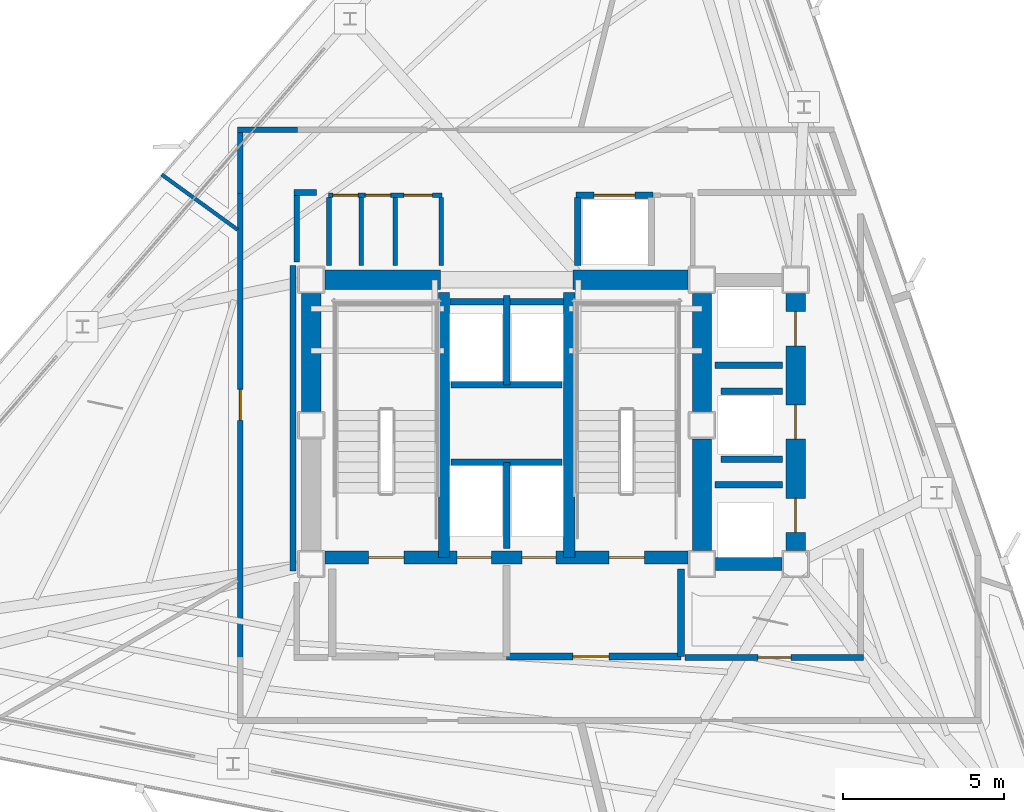
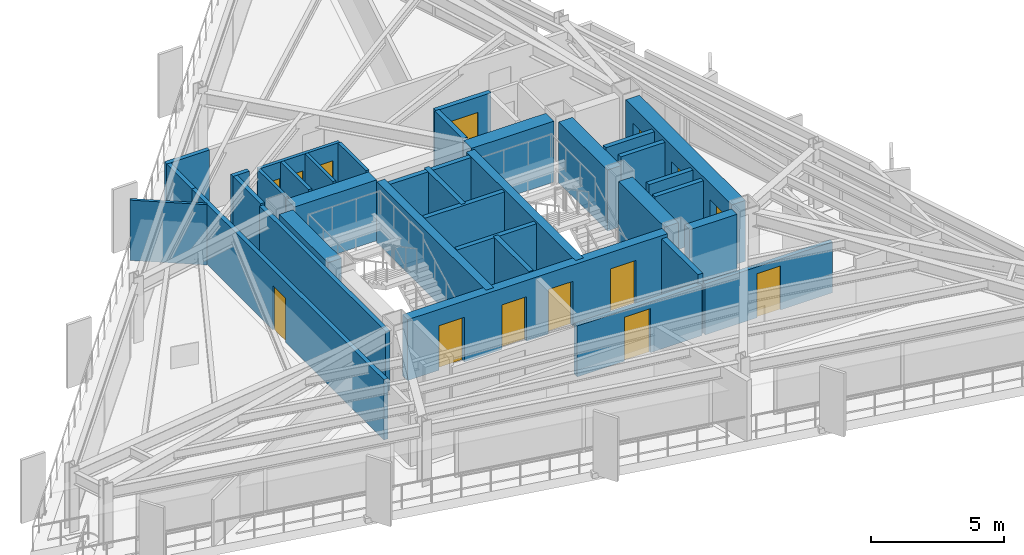
# One storey, part 9 of 13: 36 walls, 14 doors, 14 openings.
"""IFC4 building model written with IfcOpenShell, lengths in metres."""

from ifc_helpers import new_model, si_unit, direction, frame, frame_2d, origin, place, context, subcontext, project, spatial, rectangle, extrude, material, layer, layer_set, type_object, element, fill, save


model = new_model("IFC4")

# Units and contexts
model_context = context("Model", 3, precision=1e-05, world=origin(), true_north=direction((0.0, 1.0)))
body_context = subcontext(model_context, "Body", "Model", "MODEL_VIEW")
ifc_project = project(units=[si_unit("LENGTHUNIT", "METRE"), si_unit("AREAUNIT", "SQUARE_METRE"), si_unit("VOLUMEUNIT", "CUBIC_METRE"), si_unit("PLANEANGLEUNIT", "RADIAN"), si_unit("MASSUNIT", "GRAM", prefix="KILO")], contexts=[model_context])

# Site, building, storey
site_placement = place(None, origin())
site = spatial("IfcSite", under=ifc_project, at=site_placement, CompositionType="ELEMENT")
building_placement = place(site_placement, origin())
building = spatial("IfcBuilding", under=site, at=building_placement, Name="Rocaltana Carrier Exchange", CompositionType="ELEMENT")
storey_placement = place(building_placement, frame((0.0, 0.0, 147.199951171875)))
storey = spatial("IfcBuildingStorey", under=building, at=storey_placement, Name="L46", CompositionType="ELEMENT", Elevation=147.199951171875)

# Walls
ifc_material_1 = material(Name="Concrete C50/60", Category="concrete")
ifc_layer_1 = layer(ifc_material_1, 0.35009765625)
ifc_layer_set_1 = layer_set([ifc_layer_1], Name="Concrete C50/60")
wall_type_1 = type_object("IfcWallType", Name="Core Internal Shear Wall 350", PredefinedType="SHEAR", material=ifc_layer_set_1)
for number, where, z_axis, x_axis, name in (
    (1, (-1.93994140625, -4.10009765625, 0.0), (0.0, 0.0, 1.0), (0.0, 1.0, 0.0), "L46 Core Shear Wall CW-STW"),
    (2, (1.93994140625, -4.10009765625, 0.0), (0.0, 0.0, 1.0), (0.0, 1.0, 0.0), "L46 Core Shear Wall CW-STE"),
):
    element("IfcWall", number, at=place(storey_placement, frame(where, z_axis=z_axis, x_axis=x_axis)), inside=storey, type_object=wall_type_1, Name=name, PredefinedType="SHEAR", context=body_context, shape_type="SweptSolid", body=[
        extrude(rectangle(XDim=8.2001953125, YDim=0.35009765625, at=frame_2d((4.10009765625, 0.0))), origin(), (0.0, 0.0, 1.0), 2.7880859375),
    ])

# Wall, openings, doors
ifc_material_2 = material(Name="Concrete C50/60", Category="concrete")
ifc_layer_2 = layer(ifc_material_2, 0.39990234375)
ifc_layer_set_2 = layer_set([ifc_layer_2], Name="Concrete C50/60")
wall_type_2 = type_object("IfcWallType", Name="Core Internal Shear Wall 400", PredefinedType="SHEAR", material=ifc_layer_set_2)
wall_1_placement = place(storey_placement, frame((-5.625, -4.10009765625, 0.0), z_axis=(0.0, 0.0, 1.0), x_axis=(1.0, 0.0, 0.0)))
wall_1 = element("IfcWall", 3, at=wall_1_placement, inside=storey, type_object=wall_type_2, Name="L46 Core Shear Wall CW-S", PredefinedType="SHEAR", context=body_context, shape_type="SweptSolid", body=[
    extrude(rectangle(XDim=11.25, YDim=0.39990234375, at=frame_2d((5.625, 0.0))), origin(), (0.0, 0.0, 1.0), 2.7880859375),
])
opening_1_placement = place(wall_1_placement, frame((1.35498046875, 0.0, 0.0)))
opening_1 = element("IfcOpeningElement", 4, at=opening_1_placement, cuts=wall_1, Name="Opening D-ST110", PredefinedType="OPENING", context=body_context, shape_type="SweptSolid", body=[
    extrude(rectangle(XDim=1.10009765625, YDim=2.0400390625, at=frame_2d((0.550048828125, 1.02001953125))), frame((0.0, 0.2099609375, 0.0), z_axis=(0.0, -1.0, 0.0), x_axis=(1.0, 0.0, 0.0)), (0.0, 0.0, 1.0), 0.419921875),
])
opening_2_placement = place(wall_1_placement, frame((8.794921875, 0.0, 0.0)))
opening_2 = element("IfcOpeningElement", 5, at=opening_2_placement, cuts=wall_1, Name="Opening D-ST110", PredefinedType="OPENING", context=body_context, shape_type="SweptSolid", body=[
    extrude(rectangle(XDim=1.10009765625, YDim=2.0400390625, at=frame_2d((0.550048828125, 1.02001953125))), frame((0.0, 0.2099609375, 0.0), z_axis=(0.0, -1.0, 0.0), x_axis=(1.0, 0.0, 0.0)), (0.0, 0.0, 1.0), 0.419921875),
])
opening_3_placement = place(wall_1_placement, frame((4.094970703125, 0.0, 0.0)))
opening_3 = element("IfcOpeningElement", 6, at=opening_3_placement, cuts=wall_1, Name="Opening LD-110", PredefinedType="OPENING", context=body_context, shape_type="SweptSolid", body=[
    extrude(rectangle(XDim=1.06005859375, YDim=2.0400390625, at=frame_2d((0.530029296875, 1.02001953125))), frame((0.0, 0.2099609375, 0.0), z_axis=(0.0, -1.0, 0.0), x_axis=(1.0, 0.0, 0.0)), (0.0, 0.0, 1.0), 0.419921875),
])
opening_4_placement = place(wall_1_placement, frame((6.094970703125, 0.0, 0.0)))
opening_4 = element("IfcOpeningElement", 7, at=opening_4_placement, cuts=wall_1, Name="Opening LD-110", PredefinedType="OPENING", context=body_context, shape_type="SweptSolid", body=[
    extrude(rectangle(XDim=1.06005859375, YDim=2.0400390625, at=frame_2d((0.530029296875, 1.02001953125))), frame((0.0, 0.2099609375, 0.0), z_axis=(0.0, -1.0, 0.0), x_axis=(1.0, 0.0, 0.0)), (0.0, 0.0, 1.0), 0.419921875),
])
ifc_material_3 = material(Name="Hollow Metal Fire Door Assembly", Category="steel")
door_type_1 = type_object("IfcDoorType", Name="Exit Stair Fire Door 1100x2040 FD90S", OperationType="NOTDEFINED", PredefinedType="DOOR", material=ifc_material_3)
door_1_placement = place(opening_1_placement, origin())
door_1 = element("IfcDoor", 8, at=door_1_placement, inside=storey, type_object=door_type_1, Name="L46 Exit Stair ST1 Fire Door", OperationType="SINGLE_SWING_RIGHT", OverallHeight=2.0400390625, OverallWidth=1.10009765625, PredefinedType="DOOR", context=body_context, shape_type="SweptSolid", body=[
    extrude(rectangle(XDim=1.10009765625, YDim=2.0400390625, at=frame_2d((0.550048828125, 1.02001953125))), frame((0.0, 0.02490234375, 0.0), z_axis=(0.0, -1.0, 0.0), x_axis=(1.0, 0.0, 0.0)), (0.0, 0.0, 1.0), 0.050048828125),
])
fill(opening_1, door_1)
door_2_placement = place(opening_2_placement, origin())
door_2 = element("IfcDoor", 9, at=door_2_placement, inside=storey, type_object=door_type_1, Name="L46 Exit Stair ST2 Fire Door", OperationType="SINGLE_SWING_LEFT", OverallHeight=2.0400390625, OverallWidth=1.10009765625, PredefinedType="DOOR", context=body_context, shape_type="SweptSolid", body=[
    extrude(rectangle(XDim=1.10009765625, YDim=2.0400390625, at=frame_2d((0.550048828125, 1.02001953125))), frame((0.0, 0.02490234375, 0.0), z_axis=(0.0, -1.0, 0.0), x_axis=(1.0, 0.0, 0.0)), (0.0, 0.0, 1.0), 0.050048828125),
])
fill(opening_2, door_2)
ifc_material_4 = material(Name="Brushed Stainless Sliding Door Leaf", Category="steel")
door_type_2 = type_object("IfcDoorType", Name="Lift Landing Sliding Door 1060x2040", OperationType="NOTDEFINED", PredefinedType="DOOR", material=ifc_material_4)
door_3_placement = place(opening_3_placement, origin())
door_3 = element("IfcDoor", 10, at=door_3_placement, inside=storey, type_object=door_type_2, Name="L46 Firefighting Lift FFL1 Landing Door", OperationType="SLIDING_TO_LEFT", OverallHeight=2.0400390625, OverallWidth=1.06005859375, PredefinedType="DOOR", context=body_context, shape_type="SweptSolid", body=[
    extrude(rectangle(XDim=1.06005859375, YDim=2.0400390625, at=frame_2d((0.530029296875, 1.02001953125))), frame((0.0, 0.02490234375, 0.0), z_axis=(0.0, -1.0, 0.0), x_axis=(1.0, 0.0, 0.0)), (0.0, 0.0, 1.0), 0.050048828125),
])
fill(opening_3, door_3)
door_4_placement = place(opening_4_placement, origin())
door_4 = element("IfcDoor", 11, at=door_4_placement, inside=storey, type_object=door_type_2, Name="L46 Firefighting Lift FFL2 Landing Door", OperationType="SLIDING_TO_RIGHT", OverallHeight=2.0400390625, OverallWidth=1.06005859375, PredefinedType="DOOR", context=body_context, shape_type="SweptSolid", body=[
    extrude(rectangle(XDim=1.06005859375, YDim=2.0400390625, at=frame_2d((0.530029296875, 1.02001953125))), frame((0.0, 0.02490234375, 0.0), z_axis=(0.0, -1.0, 0.0), x_axis=(1.0, 0.0, 0.0)), (0.0, 0.0, 1.0), 0.050048828125),
])
fill(opening_4, door_4)

# Walls
wall_2_placement = place(storey_placement, frame((6.47509765625, -4.300048828125, 0.0), z_axis=(0.0, 0.0, 1.0), x_axis=(1.0, 0.0, 0.0)))
element("IfcWall", 12, at=wall_2_placement, inside=storey, type_object=wall_type_2, Name="L46 Core Shear Wall CW-EWS", PredefinedType="SHEAR", context=body_context, shape_type="SweptSolid", body=[
    extrude(rectangle(XDim=2.0498046875, YDim=0.39990234375, at=frame_2d((1.02490234375, 0.0))), origin(), (0.0, 0.0, 1.0), 2.7880859375),
])
ifc_material_5 = material(Name="Concrete C50/60", Category="concrete")
ifc_layer_3 = layer(ifc_material_5, 0.60009765625)
ifc_layer_set_3 = layer_set([ifc_layer_3], Name="Concrete C50/60")
wall_type_3 = type_object("IfcWallType", Name="Core Shear Wall 600", PredefinedType="SHEAR", material=ifc_layer_set_3)
for number, where, z_axis, x_axis, name in (
    (13, (-6.050048828125, 0.425048828125, 0.0), (0.0, 0.0, 1.0), (0.0, 1.0, 0.0), "L46 Core Shear Wall CW-WN"),
    (14, (6.050048828125, 0.425048828125, 0.0), (0.0, 0.0, 1.0), (0.0, 1.0, 0.0), "L46 Core Shear Wall CW-EN"),
):
    element("IfcWall", number, at=place(storey_placement, frame(where, z_axis=z_axis, x_axis=x_axis)), inside=storey, type_object=wall_type_3, Name=name, PredefinedType="SHEAR", context=body_context, shape_type="SweptSolid", body=[
        extrude(rectangle(XDim=3.64990234375, YDim=0.60009765625, at=frame_2d((1.824951171875, 0.0))), origin(), (0.0, 0.0, 1.0), 2.7880859375),
    ])
wall_3_placement = place(storey_placement, frame((6.050048828125, -3.875, 0.0), z_axis=(0.0, 0.0, 1.0), x_axis=(0.0, 1.0, 0.0)))
element("IfcWall", 15, at=wall_3_placement, inside=storey, type_object=wall_type_3, Name="L46 Core Shear Wall CW-ES", PredefinedType="SHEAR", context=body_context, shape_type="SweptSolid", body=[
    extrude(rectangle(XDim=3.449951171875, YDim=0.60009765625, at=frame_2d((1.72509765625, 0.0))), origin(), (0.0, 0.0, 1.0), 2.7880859375),
])
for number, where, z_axis, x_axis, name in (
    (16, (-5.625, 4.5, 0.0), (0.0, 0.0, 1.0), (1.0, 0.0, 0.0), "L46 Core Shear Wall CW-N1"),
    (17, (2.050048828125, 4.5, 0.0), (0.0, 0.0, 1.0), (1.0, 0.0, 0.0), "L46 Core Shear Wall CW-N2"),
):
    element("IfcWall", number, at=place(storey_placement, frame(where, z_axis=z_axis, x_axis=x_axis)), inside=storey, type_object=wall_type_3, Name=name, PredefinedType="SHEAR", context=body_context, shape_type="SweptSolid", body=[
        extrude(rectangle(XDim=3.574951171875, YDim=0.60009765625, at=frame_2d((1.78759765625, 0.0))), origin(), (0.0, 0.0, 1.0), 2.7880859375),
    ])

# Wall, openings, doors
wall_4_placement = place(storey_placement, frame((8.949951171875, -3.875, 0.0), z_axis=(0.0, 0.0, 1.0), x_axis=(0.0, 1.0, 0.0)))
wall_4 = element("IfcWall", 18, at=wall_4_placement, inside=storey, type_object=wall_type_3, Name="L46 Core Shear Wall CW-EW", PredefinedType="SHEAR", context=body_context, shape_type="SweptSolid", body=[
    extrude(rectangle(XDim=7.949951171875, YDim=0.60009765625, at=frame_2d((3.97509765625, 0.0))), origin(), (0.0, 0.0, 1.0), 2.7880859375),
])
opening_5_placement = place(wall_4_placement, frame((0.550048828125, 0.0, 0.0)))
opening_5 = element("IfcOpeningElement", 19, at=opening_5_placement, cuts=wall_4, Name="Opening LD-110", PredefinedType="OPENING", context=body_context, shape_type="SweptSolid", body=[
    extrude(rectangle(XDim=1.06005859375, YDim=2.0400390625, at=frame_2d((0.530029296875, 1.02001953125))), frame((0.0, 0.31005859375, 0.0), z_axis=(0.0, -1.0, 0.0), x_axis=(1.0, 0.0, 0.0)), (0.0, 0.0, 1.0), 0.6201171875),
])
opening_6_placement = place(wall_4_placement, frame((3.445068359375, 0.0, 0.0)))
opening_6 = element("IfcOpeningElement", 20, at=opening_6_placement, cuts=wall_4, Name="Opening LD-110", PredefinedType="OPENING", context=body_context, shape_type="SweptSolid", body=[
    extrude(rectangle(XDim=1.06005859375, YDim=2.0400390625, at=frame_2d((0.530029296875, 1.02001953125))), frame((0.0, 0.31005859375, 0.0), z_axis=(0.0, -1.0, 0.0), x_axis=(1.0, 0.0, 0.0)), (0.0, 0.0, 1.0), 0.6201171875),
])
opening_7_placement = place(wall_4_placement, frame((6.330078125, 0.0, 0.0)))
opening_7 = element("IfcOpeningElement", 21, at=opening_7_placement, cuts=wall_4, Name="Opening LD-110", PredefinedType="OPENING", context=body_context, shape_type="SweptSolid", body=[
    extrude(rectangle(XDim=1.06005859375, YDim=2.0400390625, at=frame_2d((0.530029296875, 1.02001953125))), frame((0.0, 0.31005859375, 0.0), z_axis=(0.0, -1.0, 0.0), x_axis=(1.0, 0.0, 0.0)), (0.0, 0.0, 1.0), 0.6201171875),
])
door_5_placement = place(opening_5_placement, origin())
door_5 = element("IfcDoor", 22, at=door_5_placement, inside=storey, type_object=door_type_2, Name="L46 Mid-Rise Lift PL-M1 Landing Door", OperationType="SLIDING_TO_LEFT", OverallHeight=2.0400390625, OverallWidth=1.06005859375, PredefinedType="DOOR", context=body_context, shape_type="SweptSolid", body=[
    extrude(rectangle(XDim=1.06005859375, YDim=2.0400390625, at=frame_2d((0.530029296875, 1.02001953125))), frame((0.0, 0.02490234375, 0.0), z_axis=(0.0, -1.0, 0.0), x_axis=(1.0, 0.0, 0.0)), (0.0, 0.0, 1.0), 0.050048828125),
])
fill(opening_5, door_5)
door_6_placement = place(opening_6_placement, origin())
door_6 = element("IfcDoor", 23, at=door_6_placement, inside=storey, type_object=door_type_2, Name="L46 Mid-Rise Lift PL-M2 Landing Door", OperationType="SLIDING_TO_RIGHT", OverallHeight=2.0400390625, OverallWidth=1.06005859375, PredefinedType="DOOR", context=body_context, shape_type="SweptSolid", body=[
    extrude(rectangle(XDim=1.06005859375, YDim=2.0400390625, at=frame_2d((0.530029296875, 1.02001953125))), frame((0.0, 0.02490234375, 0.0), z_axis=(0.0, -1.0, 0.0), x_axis=(1.0, 0.0, 0.0)), (0.0, 0.0, 1.0), 0.050048828125),
])
fill(opening_6, door_6)
door_7_placement = place(opening_7_placement, origin())
door_7 = element("IfcDoor", 24, at=door_7_placement, inside=storey, type_object=door_type_2, Name="L46 Mid-Rise Lift PL-M3 Landing Door", OperationType="SLIDING_TO_LEFT", OverallHeight=2.0400390625, OverallWidth=1.06005859375, PredefinedType="DOOR", context=body_context, shape_type="SweptSolid", body=[
    extrude(rectangle(XDim=1.06005859375, YDim=2.0400390625, at=frame_2d((0.530029296875, 1.02001953125))), frame((0.0, 0.02490234375, 0.0), z_axis=(0.0, -1.0, 0.0), x_axis=(1.0, 0.0, 0.0)), (0.0, 0.0, 1.0), 0.050048828125),
])
fill(opening_7, door_7)

# Wall, opening, door
ifc_material_6 = material(Name="Gypsum & Steel Stud Partition", Category="steel")
ifc_layer_4 = layer(ifc_material_6, 0.179931640625)
ifc_layer_set_4 = layer_set([ifc_layer_4], Name="Gypsum & Steel Stud Partition")
wall_type_4 = type_object("IfcWallType", Name="Corridor Fire Partition 180 EI60", PredefinedType="PARTITIONING", material=ifc_layer_set_4)
wall_5_placement = place(storey_placement, frame((-8.25, -7.219970703125, 0.0), z_axis=(0.0, 0.0, 1.0), x_axis=(0.0, 1.0, 0.0)))
wall_5 = element("IfcWall", 25, at=wall_5_placement, inside=storey, type_object=wall_type_4, Name="L46 Corridor Partition 3", PredefinedType="PARTITIONING", context=body_context, shape_type="SweptSolid", body=[
    extrude(rectangle(XDim=14.43994140625, YDim=0.179931640625, at=frame_2d((7.219970703125, 0.0))), origin(), (0.0, 0.0, 1.0), 2.762939453125),
])
opening_8_placement = place(wall_5_placement, frame((7.366455078125, 0.0, 0.0)))
opening_8 = element("IfcOpeningElement", 26, at=opening_8_placement, cuts=wall_5, Name="Opening D-RM098", PredefinedType="OPENING", context=body_context, shape_type="SweptSolid", body=[
    extrude(rectangle(XDim=0.9599609375, YDim=2.02001953125, at=frame_2d((0.47998046875, 1.010009765625))), frame((0.0, 0.099853515625, 0.0), z_axis=(0.0, -1.0, 0.0), x_axis=(1.0, 0.0, 0.0)), (0.0, 0.0, 1.0), 0.199951171875),
])
ifc_material_7 = material(Name="Engineered Hardwood Timber", Category="wood")
door_type_3 = type_object("IfcDoorType", Name="Workspace Single Door 960x2020", OperationType="NOTDEFINED", PredefinedType="DOOR", material=ifc_material_7)
door_8_placement = place(opening_8_placement, origin())
door_8 = element("IfcDoor", 27, at=door_8_placement, inside=storey, type_object=door_type_3, Name="L46 Cloud Architecture Office Entrance Door", OperationType="SINGLE_SWING_RIGHT", OverallHeight=2.02001953125, OverallWidth=0.9599609375, PredefinedType="DOOR", context=body_context, shape_type="SweptSolid", body=[
    extrude(rectangle(XDim=0.9599609375, YDim=2.02001953125, at=frame_2d((0.47998046875, 1.010009765625))), frame((0.0, 0.02490234375, 0.0), z_axis=(0.0, -1.0, 0.0), x_axis=(1.0, 0.0, 0.0)), (0.0, 0.0, 1.0), 0.050048828125),
])
fill(opening_8, door_8)

# Walls
wall_6_placement = place(storey_placement, frame((-8.25, 7.179931640625, 0.0), z_axis=(0.0, 0.0, 1.0), x_axis=(0.0, 1.0, 0.0)))
element("IfcWall", 28, at=wall_6_placement, inside=storey, type_object=wall_type_4, Name="L46 Corridor Partition 4", PredefinedType="PARTITIONING", context=body_context, shape_type="SweptSolid", body=[
    extrude(rectangle(XDim=1.880126953125, YDim=0.179931640625, at=frame_2d((0.93994140625, 0.0))), origin(), (0.0, 0.0, 1.0), 2.762939453125),
])
wall_7_placement = place(storey_placement, frame((-8.340087890625, 9.14990234375, 0.0), z_axis=(0.0, 0.0, 1.0), x_axis=(1.0, 0.0, 0.0)))
element("IfcWall", 29, at=wall_7_placement, inside=storey, type_object=wall_type_4, Name="L46 Corridor Partition 5", PredefinedType="PARTITIONING", context=body_context, shape_type="SweptSolid", body=[
    extrude(rectangle(XDim=1.860107421875, YDim=0.179931640625, at=frame_2d((0.93017578125, 0.0))), origin(), (0.0, 0.0, 1.0), 2.762939453125),
])
wall_8_placement = place(storey_placement, frame((-5.8798828125, 7.199951171875, 0.0), z_axis=(0.0, 0.0, 1.0), x_axis=(-1.0, 0.0, 0.0)))
element("IfcWall", 30, at=wall_8_placement, inside=storey, type_object=wall_type_4, Name="L46 Corridor Partition 9", PredefinedType="PARTITIONING", context=body_context, shape_type="SweptSolid", body=[
    extrude(rectangle(XDim=0.710205078125, YDim=0.179931640625, at=frame_2d((0.35498046875, 0.0))), origin(), (0.0, 0.0, 1.0), 2.762939453125),
])
wall_9_placement = place(storey_placement, frame((-6.5, 7.110107421875, 0.0), z_axis=(0.0, 0.0, 1.0), x_axis=(0.0, -1.0, 0.0)))
element("IfcWall", 31, at=wall_9_placement, inside=storey, type_object=wall_type_4, Name="L46 Corridor Partition 10", PredefinedType="PARTITIONING", context=body_context, shape_type="SweptSolid", body=[
    extrude(rectangle(XDim=2.058349609375, YDim=0.179931640625, at=frame_2d((1.029296875, 0.0))), origin(), (0.0, 0.0, 1.0), 2.762939453125),
])
wall_10_placement = place(storey_placement, frame((-6.610107421875, 4.93994140625, 0.0), z_axis=(0.0, 0.0, 1.0), x_axis=(0.0, -1.0, 0.0)))
element("IfcWall", 32, at=wall_10_placement, inside=storey, type_object=wall_type_4, Name="L46 Corridor Partition 11", PredefinedType="PARTITIONING", context=body_context, shape_type="SweptSolid", body=[
    extrude(rectangle(XDim=9.4599609375, YDim=0.179931640625, at=frame_2d((4.72998046875, 0.0))), origin(), (0.0, 0.0, 1.0), 2.762939453125),
])

# Wall, opening, door
wall_11_placement = place(storey_placement, frame((5.530029296875, -7.199951171875, 0.0), z_axis=(0.0, 0.0, 1.0), x_axis=(1.0, 0.0, 0.0)))
wall_11 = element("IfcWall", 33, at=wall_11_placement, inside=storey, type_object=wall_type_4, Name="L46 Corridor Partition 14", PredefinedType="PARTITIONING", context=body_context, shape_type="SweptSolid", body=[
    extrude(rectangle(XDim=5.52001953125, YDim=0.179931640625, at=frame_2d((2.760009765625, 0.0))), origin(), (0.0, 0.0, 1.0), 2.330078125),
])
opening_9_placement = place(wall_11_placement, frame((2.25, 0.0, 0.0)))
opening_9 = element("IfcOpeningElement", 34, at=opening_9_placement, cuts=wall_11, Name="Opening D-LB104", PredefinedType="OPENING", context=body_context, shape_type="SweptSolid", body=[
    extrude(rectangle(XDim=1.02001953125, YDim=2.02001953125, at=frame_2d((0.510009765625, 1.010009765625))), frame((0.0, 0.099853515625, 0.0), z_axis=(0.0, -1.0, 0.0), x_axis=(1.0, 0.0, 0.0)), (0.0, 0.0, 1.0), 0.199951171875),
])
ifc_material_8 = material(Name="Powder-Coated Aluminium 6063-T6", Category="aluminium")
door_type_4 = type_object("IfcDoorType", Name="Laboratory Acoustic Door 1020x2020", OperationType="NOTDEFINED", PredefinedType="DOOR", material=ifc_material_8)
door_9_placement = place(opening_9_placement, origin())
door_9 = element("IfcDoor", 35, at=door_9_placement, inside=storey, type_object=door_type_4, Name="L46 Optical Switching Laboratory Entrance Door", OperationType="SINGLE_SWING_LEFT", OverallHeight=2.02001953125, OverallWidth=1.02001953125, PredefinedType="DOOR", context=body_context, shape_type="SweptSolid", body=[
    extrude(rectangle(XDim=1.02001953125, YDim=2.02001953125, at=frame_2d((0.510009765625, 1.010009765625))), frame((0.0, 0.02490234375, 0.0), z_axis=(0.0, -1.0, 0.0), x_axis=(1.0, 0.0, 0.0)), (0.0, 0.0, 1.0), 0.050048828125),
])
fill(opening_9, door_9)

# Walls
ifc_material_9 = material(Name="Aluminium 6063-T6 & Acoustic Glass", Category="aluminium")
ifc_layer_5 = layer(ifc_material_9, 0.114990234375)
ifc_layer_set_5 = layer_set([ifc_layer_5], Name="Aluminium 6063-T6 & Acoustic Glass")
wall_type_5 = type_object("IfcWallType", Name="Demountable Glazed Lab Partition 115", PredefinedType="MOVABLE", material=ifc_layer_set_5)
wall_12_placement = place(storey_placement, frame((-8.330078125, 6.052001953125, 0.0), z_axis=(0.0, 0.0, 1.0), x_axis=(-0.808997455981, 0.587812143644, 0.0)))
element("IfcWall", 36, at=wall_12_placement, inside=storey, type_object=wall_type_5, Name="L46 Suite Divider Wall D7", PredefinedType="MOVABLE", context=body_context, shape_type="SweptSolid", body=[
    extrude(rectangle(XDim=2.907470703125, YDim=0.114990234375, at=frame_2d((1.45361328125, 0.0))), origin(), (0.0, 0.0, 1.0), 2.762939453125),
])
ifc_material_10 = material(Name="Autoclaved Aerated Concrete C30/37", Category="concrete")
ifc_layer_6 = layer(ifc_material_10, 0.219970703125)
ifc_layer_set_6 = layer_set([ifc_layer_6], Name="Autoclaved Aerated Concrete C30/37")
wall_type_6 = type_object("IfcWallType", Name="Firefighting Lobby Wall 220 EI120", PredefinedType="PARTITIONING", material=ifc_layer_set_6)
wall_13_placement = place(storey_placement, frame((5.39990234375, -7.159912109375, 0.0), z_axis=(0.0, 0.0, 1.0), x_axis=(0.0, 1.0, 0.0)))
element("IfcWall", 37, at=wall_13_placement, inside=storey, type_object=wall_type_6, Name="L46 FFL Lobby 2 East Wall", PredefinedType="PARTITIONING", context=body_context, shape_type="SweptSolid", body=[
    extrude(rectangle(XDim=2.7099609375, YDim=0.219970703125, at=frame_2d((1.35498046875, 0.0))), origin(), (0.0, 0.0, 1.0), 2.762939453125),
])

# Wall, opening, door
wall_14_placement = place(storey_placement, frame((0.0, -7.159912109375, 0.0), z_axis=(0.0, 0.0, 1.0), x_axis=(1.0, 0.0, 0.0)))
wall_14 = element("IfcWall", 38, at=wall_14_placement, inside=storey, type_object=wall_type_6, Name="L46 FFL Lobby 2 South Wall", PredefinedType="PARTITIONING", context=body_context, shape_type="SweptSolid", body=[
    extrude(rectangle(XDim=5.39990234375, YDim=0.219970703125, at=frame_2d((2.699951171875, 0.0))), origin(), (0.0, 0.0, 1.0), 2.330078125),
])
opening_10_placement = place(wall_14_placement, frame((2.050048828125, 0.0, 0.0)))
opening_10 = element("IfcOpeningElement", 39, at=opening_10_placement, cuts=wall_14, Name="Opening D-FF115", PredefinedType="OPENING", context=body_context, shape_type="SweptSolid", body=[
    extrude(rectangle(XDim=1.1201171875, YDim=2.02001953125, at=frame_2d((0.56005859375, 1.010009765625))), frame((0.0, 0.119873046875, 0.0), z_axis=(0.0, -1.0, 0.0), x_axis=(1.0, 0.0, 0.0)), (0.0, 0.0, 1.0), 0.239990234375),
])
ifc_material_11 = material(Name="Hollow Metal Fire Door Assembly", Category="steel")
door_type_5 = type_object("IfcDoorType", Name="Firefighting Lobby Door 1120x2020 FD60S", OperationType="NOTDEFINED", PredefinedType="DOOR", material=ifc_material_11)
door_10_placement = place(opening_10_placement, origin())
door_10 = element("IfcDoor", 40, at=door_10_placement, inside=storey, type_object=door_type_5, Name="L46 Firefighting Lift Lobby 2 Door", OperationType="SINGLE_SWING_LEFT", OverallHeight=2.02001953125, OverallWidth=1.1201171875, PredefinedType="DOOR", context=body_context, shape_type="SweptSolid", body=[
    extrude(rectangle(XDim=1.1201171875, YDim=2.02001953125, at=frame_2d((0.56005859375, 1.010009765625))), frame((0.0, 0.02490234375, 0.0), z_axis=(0.0, -1.0, 0.0), x_axis=(1.0, 0.0, 0.0)), (0.0, 0.0, 1.0), 0.050048828125),
])
fill(opening_10, door_10)

# Walls
ifc_material_12 = material(Name="Reinforced Concrete Block C35/45", Category="concrete")
ifc_layer_7 = layer(ifc_material_12, 0.199951171875)
ifc_layer_set_7 = layer_set([ifc_layer_7], Name="Reinforced Concrete Block C35/45")
wall_type_7 = type_object("IfcWallType", Name="Lift Hoistway Enclosure Wall 200 EI120", PredefinedType="PARTITIONING", material=ifc_layer_set_7)
wall_15_placement = place(storey_placement, frame((0.0, -3.820068359375, 0.0), z_axis=(0.0, 0.0, 1.0), x_axis=(0.0, 1.0, 0.0)))
element("IfcWall", 41, at=wall_15_placement, inside=storey, type_object=wall_type_7, Name="L46 FFL Shaft Divider", PredefinedType="PARTITIONING", context=body_context, shape_type="SweptSolid", body=[
    extrude(rectangle(XDim=2.670166015625, YDim=0.199951171875, at=frame_2d((1.3349609375, 0.0))), origin(), (0.0, 0.0, 1.0), 2.762939453125),
])
wall_16_placement = place(storey_placement, frame((-1.719970703125, -1.14990234375, 0.0), z_axis=(0.0, 0.0, 1.0), x_axis=(1.0, 0.0, 0.0)))
element("IfcWall", 42, at=wall_16_placement, inside=storey, type_object=wall_type_7, Name="L46 FFL Shaft Back Wall", PredefinedType="PARTITIONING", context=body_context, shape_type="SweptSolid", body=[
    extrude(rectangle(XDim=3.43994140625, YDim=0.199951171875, at=frame_2d((1.719970703125, 0.0))), origin(), (0.0, 0.0, 1.0), 2.762939453125),
])
wall_17_placement = place(storey_placement, frame((0.0, 1.25, 0.0), z_axis=(0.0, 0.0, 1.0), x_axis=(0.0, 1.0, 0.0)))
element("IfcWall", 43, at=wall_17_placement, inside=storey, type_object=wall_type_7, Name="L46 High-Rise Shaft Divider", PredefinedType="PARTITIONING", context=body_context, shape_type="SweptSolid", body=[
    extrude(rectangle(XDim=2.77001953125, YDim=0.199951171875, at=frame_2d((1.385009765625, 0.0))), origin(), (0.0, 0.0, 1.0), 2.762939453125),
])
wall_18_placement = place(storey_placement, frame((-1.719970703125, 1.25, 0.0), z_axis=(0.0, 0.0, 1.0), x_axis=(1.0, 0.0, 0.0)))
element("IfcWall", 44, at=wall_18_placement, inside=storey, type_object=wall_type_7, Name="L46 High-Rise Shaft Back Wall", PredefinedType="PARTITIONING", context=body_context, shape_type="SweptSolid", body=[
    extrude(rectangle(XDim=3.43994140625, YDim=0.199951171875, at=frame_2d((1.719970703125, 0.0))), origin(), (0.0, 0.0, 1.0), 2.762939453125),
])
wall_19_placement = place(storey_placement, frame((-1.760009765625, 3.820068359375, 0.0), z_axis=(0.0, 0.0, 1.0), x_axis=(1.0, 0.0, 0.0)))
element("IfcWall", 45, at=wall_19_placement, inside=storey, type_object=wall_type_7, Name="L46 High-Rise Lift Front Wall", PredefinedType="PARTITIONING", context=body_context, shape_type="SweptSolid", body=[
    extrude(rectangle(XDim=3.52001953125, YDim=0.199951171875, at=frame_2d((1.760009765625, 0.0))), origin(), (0.0, 0.0, 1.0), 2.762939453125),
])
wall_20_placement = place(storey_placement, frame((2.199951171875, 4.949951171875, 0.0), z_axis=(0.0, 0.0, 1.0), x_axis=(0.0, 1.0, 0.0)))
element("IfcWall", 46, at=wall_20_placement, inside=storey, type_object=wall_type_7, Name="L46 Goods Lift West Wall", PredefinedType="PARTITIONING", context=body_context, shape_type="SweptSolid", body=[
    extrude(rectangle(XDim=2.10009765625, YDim=0.199951171875, at=frame_2d((1.050048828125, 0.0))), origin(), (0.0, 0.0, 1.0), 2.762939453125),
])

# Wall, opening, door
wall_21_placement = place(storey_placement, frame((2.14990234375, 7.1201171875, 0.0), z_axis=(0.0, 0.0, 1.0), x_axis=(1.0, 0.0, 0.0)))
wall_21 = element("IfcWall", 47, at=wall_21_placement, inside=storey, type_object=wall_type_7, Name="L46 Goods Lift Front Wall", PredefinedType="PARTITIONING", context=body_context, shape_type="SweptSolid", body=[
    extrude(rectangle(XDim=2.380126953125, YDim=0.199951171875, at=frame_2d((1.18994140625, 0.0))), origin(), (0.0, 0.0, 1.0), 2.762939453125),
])
opening_11_placement = place(wall_21_placement, frame((0.56005859375, 0.0, 0.0)))
opening_11 = element("IfcOpeningElement", 48, at=opening_11_placement, cuts=wall_21, Name="Opening LD-130", PredefinedType="OPENING", context=body_context, shape_type="SweptSolid", body=[
    extrude(rectangle(XDim=1.260009765625, YDim=2.06005859375, at=frame_2d((0.6298828125, 1.030029296875))), frame((0.0, 0.10986328125, 0.0), z_axis=(0.0, -1.0, 0.0), x_axis=(1.0, 0.0, 0.0)), (0.0, 0.0, 1.0), 0.219970703125),
])
ifc_material_13 = material(Name="Brushed Stainless Sliding Door Leaf", Category="steel")
door_type_6 = type_object("IfcDoorType", Name="Goods Lift Landing Sliding Door 1260x2060", OperationType="NOTDEFINED", PredefinedType="DOOR", material=ifc_material_13)
door_11_placement = place(opening_11_placement, origin())
door_11 = element("IfcDoor", 49, at=door_11_placement, inside=storey, type_object=door_type_6, Name="L46 Goods Lift GL-1 Landing Door", OperationType="SLIDING_TO_LEFT", OverallHeight=2.06005859375, OverallWidth=1.260009765625, PredefinedType="DOOR", context=body_context, shape_type="SweptSolid", body=[
    extrude(rectangle(XDim=1.260009765625, YDim=2.06005859375, at=frame_2d((0.6298828125, 1.030029296875))), frame((0.0, 0.02490234375, 0.0), z_axis=(0.0, -1.0, 0.0), x_axis=(1.0, 0.0, 0.0)), (0.0, 0.0, 1.0), 0.050048828125),
])
fill(opening_11, door_11)

# Walls
for number, where, z_axis, x_axis, name in (
    (50, (6.449951171875, -1.85009765625, 0.0), (0.0, 0.0, 1.0), (1.0, 0.0, 0.0), "L46 Mid-Rise Shaft Divider 1"),
    (51, (6.449951171875, 1.85009765625, 0.0), (0.0, 0.0, 1.0), (1.0, 0.0, 0.0), "L46 Mid-Rise Shaft Divider 2"),
):
    element("IfcWall", number, at=place(storey_placement, frame(where, z_axis=z_axis, x_axis=x_axis)), inside=storey, type_object=wall_type_7, Name=name, PredefinedType="PARTITIONING", context=body_context, shape_type="SweptSolid", body=[
        extrude(rectangle(XDim=2.10009765625, YDim=0.199951171875, at=frame_2d((1.050048828125, 0.0))), origin(), (0.0, 0.0, 1.0), 2.762939453125),
    ])
for number, where, z_axis, x_axis, name in (
    (52, (6.639892578125, -1.050048828125, 0.0), (0.0, 0.0, 1.0), (1.0, 0.0, 0.0), "L46 Mid-Rise Center Shaft Wall South"),
    (53, (6.639892578125, 1.050048828125, 0.0), (0.0, 0.0, 1.0), (1.0, 0.0, 0.0), "L46 Mid-Rise Center Shaft Wall North"),
):
    element("IfcWall", number, at=place(storey_placement, frame(where, z_axis=z_axis, x_axis=x_axis)), inside=storey, type_object=wall_type_7, Name=name, PredefinedType="PARTITIONING", context=body_context, shape_type="SweptSolid", body=[
        extrude(rectangle(XDim=1.91015625, YDim=0.199951171875, at=frame_2d((0.955078125, 0.0))), origin(), (0.0, 0.0, 1.0), 2.762939453125),
    ])
ifc_material_14 = material(Name="Moisture-Resistant Masonry C30/37", Category="masonry")
ifc_layer_8 = layer(ifc_material_14, 0.139892578125)
ifc_layer_set_8 = layer_set([ifc_layer_8], Name="Moisture-Resistant Masonry C30/37")
wall_type_8 = type_object("IfcWallType", Name="Wet-Area Sanitary Partition 140", PredefinedType="PARTITIONING", material=ifc_layer_set_8)
for number, where, z_axis, x_axis, name in (
    (54, (-5.5, 4.949951171875, 0.0), (0.0, 0.0, 1.0), (0.0, 1.0, 0.0), "L46 Sanitary West Wall"),
    (55, (-4.5, 4.949951171875, 0.0), (0.0, 0.0, 1.0), (0.0, 1.0, 0.0), "L46 Sanitary Divider 1"),
    (56, (-3.449951171875, 4.949951171875, 0.0), (0.0, 0.0, 1.0), (0.0, 1.0, 0.0), "L46 Sanitary Divider 2"),
    (57, (-2.02001953125, 4.949951171875, 0.0), (0.0, 0.0, 1.0), (0.0, 1.0, 0.0), "L46 Sanitary East Wall"),
):
    element("IfcWall", number, at=place(storey_placement, frame(where, z_axis=z_axis, x_axis=x_axis)), inside=storey, type_object=wall_type_8, Name=name, PredefinedType="PARTITIONING", context=body_context, shape_type="SweptSolid", body=[
        extrude(rectangle(XDim=2.10009765625, YDim=0.139892578125, at=frame_2d((1.050048828125, 0.0))), origin(), (0.0, 0.0, 1.0), 2.762939453125),
    ])

# Wall, openings, doors
wall_22_placement = place(storey_placement, frame((-5.52001953125, 7.1201171875, 0.0), z_axis=(0.0, 0.0, 1.0), x_axis=(1.0, 0.0, 0.0)))
wall_22 = element("IfcWall", 58, at=wall_22_placement, inside=storey, type_object=wall_type_8, Name="L46 Sanitary North Wall", PredefinedType="PARTITIONING", context=body_context, shape_type="SweptSolid", body=[
    extrude(rectangle(XDim=3.52001953125, YDim=0.139892578125, at=frame_2d((1.760009765625, 0.0))), origin(), (0.0, 0.0, 1.0), 2.762939453125),
])
opening_12_placement = place(wall_22_placement, frame((0.139892578125, 0.0, 0.0)))
opening_12 = element("IfcOpeningElement", 59, at=opening_12_placement, cuts=wall_22, Name="Opening D-RS082", PredefinedType="OPENING", context=body_context, shape_type="SweptSolid", body=[
    extrude(rectangle(XDim=0.780029296875, YDim=2.010009765625, at=frame_2d((0.39013671875, 1.0048828125))), frame((0.0, 0.079833984375, 0.0), z_axis=(0.0, -1.0, 0.0), x_axis=(1.0, 0.0, 0.0)), (0.0, 0.0, 1.0), 0.159912109375),
])
opening_13_placement = place(wall_22_placement, frame((1.14990234375, 0.0, 0.0)))
opening_13 = element("IfcOpeningElement", 60, at=opening_13_placement, cuts=wall_22, Name="Opening D-RS082", PredefinedType="OPENING", context=body_context, shape_type="SweptSolid", body=[
    extrude(rectangle(XDim=0.780029296875, YDim=2.010009765625, at=frame_2d((0.39013671875, 1.0048828125))), frame((0.0, 0.079833984375, 0.0), z_axis=(0.0, -1.0, 0.0), x_axis=(1.0, 0.0, 0.0)), (0.0, 0.0, 1.0), 0.159912109375),
])
opening_14_placement = place(wall_22_placement, frame((2.340087890625, 0.0, 0.0)))
opening_14 = element("IfcOpeningElement", 61, at=opening_14_placement, cuts=wall_22, Name="Opening D-WC090", PredefinedType="OPENING", context=body_context, shape_type="SweptSolid", body=[
    extrude(rectangle(XDim=0.8798828125, YDim=2.02001953125, at=frame_2d((0.43994140625, 1.010009765625))), frame((0.0, 0.079833984375, 0.0), z_axis=(0.0, -1.0, 0.0), x_axis=(1.0, 0.0, 0.0)), (0.0, 0.0, 1.0), 0.159912109375),
])
ifc_material_15 = material(Name="High-Pressure Laminate Timber", Category="wood")
door_type_7 = type_object("IfcDoorType", Name="Restroom & Accessible WC Door 880x2020", OperationType="NOTDEFINED", PredefinedType="DOOR", material=ifc_material_15)
door_12_placement = place(opening_14_placement, origin())
door_12 = element("IfcDoor", 62, at=door_12_placement, inside=storey, type_object=door_type_7, Name="L46 Accessible Toilet Door", OperationType="SINGLE_SWING_RIGHT", OverallHeight=2.02001953125, OverallWidth=0.8798828125, PredefinedType="DOOR", context=body_context, shape_type="SweptSolid", body=[
    extrude(rectangle(XDim=0.8798828125, YDim=2.02001953125, at=frame_2d((0.43994140625, 1.010009765625))), frame((0.0, 0.02490234375, 0.0), z_axis=(0.0, -1.0, 0.0), x_axis=(1.0, 0.0, 0.0)), (0.0, 0.0, 1.0), 0.050048828125),
])
fill(opening_14, door_12)
ifc_material_16 = material(Name="Hollow Metal Access Door Leaf", Category="steel")
door_type_8 = type_object("IfcDoorType", Name="Riser & Service Closet Door 780x2010", OperationType="NOTDEFINED", PredefinedType="DOOR", material=ifc_material_16)
door_13_placement = place(opening_12_placement, origin())
door_13 = element("IfcDoor", 63, at=door_13_placement, inside=storey, type_object=door_type_8, Name="L46 Cleaner Store Door", OperationType="SINGLE_SWING_RIGHT", OverallHeight=2.010009765625, OverallWidth=0.780029296875, PredefinedType="DOOR", context=body_context, shape_type="SweptSolid", body=[
    extrude(rectangle(XDim=0.780029296875, YDim=2.010009765625, at=frame_2d((0.39013671875, 1.0048828125))), frame((0.0, 0.02490234375, 0.0), z_axis=(0.0, -1.0, 0.0), x_axis=(1.0, 0.0, 0.0)), (0.0, 0.0, 1.0), 0.050048828125),
])
fill(opening_12, door_13)
door_14_placement = place(opening_13_placement, origin())
door_14 = element("IfcDoor", 64, at=door_14_placement, inside=storey, type_object=door_type_8, Name="L46 Staff Restroom Door", OperationType="SINGLE_SWING_LEFT", OverallHeight=2.010009765625, OverallWidth=0.780029296875, PredefinedType="DOOR", context=body_context, shape_type="SweptSolid", body=[
    extrude(rectangle(XDim=0.780029296875, YDim=2.010009765625, at=frame_2d((0.39013671875, 1.0048828125))), frame((0.0, 0.02490234375, 0.0), z_axis=(0.0, -1.0, 0.0), x_axis=(1.0, 0.0, 0.0)), (0.0, 0.0, 1.0), 0.050048828125),
])
fill(opening_13, door_14)

save(model, "model.ifc")
